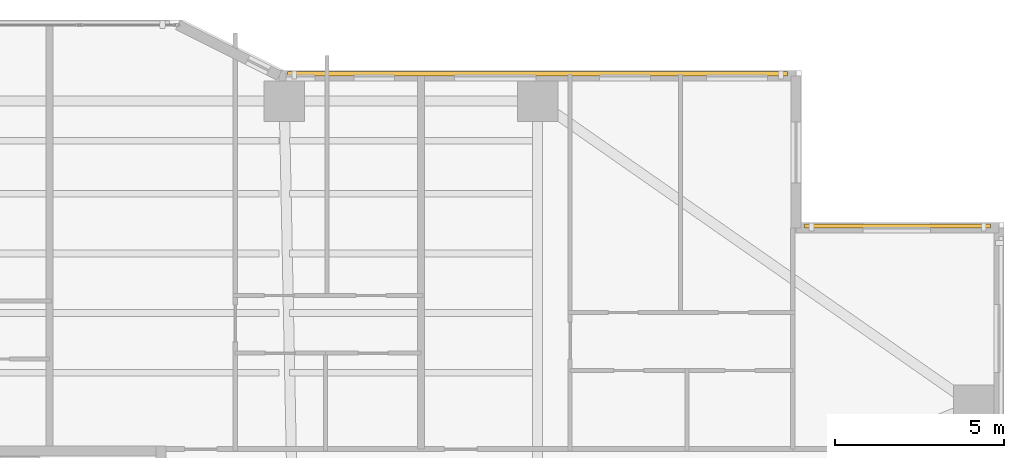
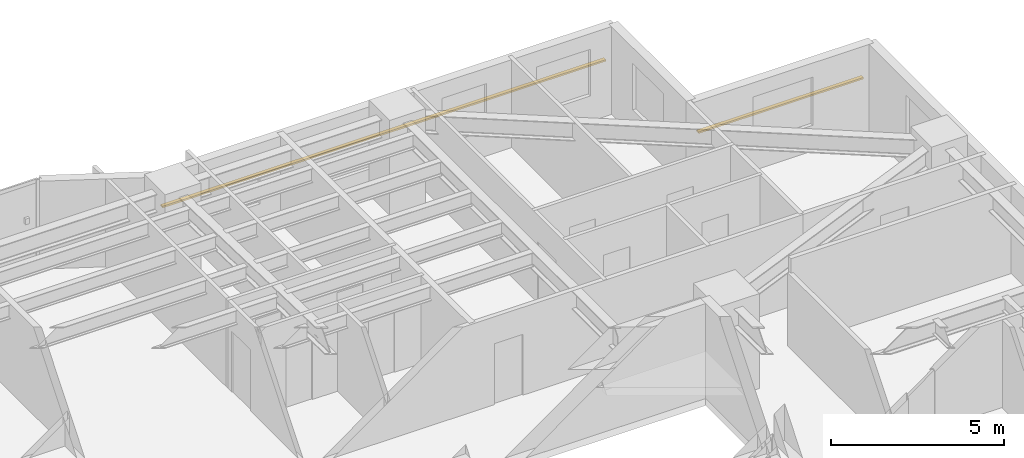
# One storey, part 21 of 21: 2 shading devices.
"""IFC4 building model written with IfcOpenShell, lengths in metres."""

import ifcopenshell
import ifcopenshell.guid

model = None  # the IFC model being written
_history = None  # IfcOwnerHistory: only IFC2X3 demands one
_inside = {}  # id of a spatial element -> (the spatial element, [elements in it])
_under = {}  # id of a project, library or spatial element -> (it, [spatial elements below it])
_declared = {}  # id of a project -> (the project, [libraries it declares])
_typed = {}  # id of a type object -> (the type object, [elements of that type])
_made_of = {}  # id of a material, layer set ... -> (it, [elements and type objects made of it])


def new_model(schema):
    """Start an empty IFC model of exactly this schema.

    Asked for "IFC4X3", IfcOpenShell would pick the latest addendum, in which some entities
    have other attributes; the version numbers below select the first issue.
    IFC2X3 requires an IfcOwnerHistory on every rooted entity: one is made here for all.
    """
    global model, _history
    if schema == "IFC4X3":
        model = ifcopenshell.file(schema_version=(4, 3, 0, 0))
    else:
        model = ifcopenshell.file(schema=schema)
    _inside.clear()
    _under.clear()
    _declared.clear()
    _typed.clear()
    _made_of.clear()
    _history = None
    if model.schema == "IFC2X3":
        org = make("IfcOrganization", Name="unknown")
        user = make(
            "IfcPersonAndOrganization",
            ThePerson=make("IfcPerson", FamilyName="unknown"),
            TheOrganization=org,
        )
        app = make(
            "IfcApplication",
            ApplicationDeveloper=org,
            Version="unknown",
            ApplicationFullName="unknown",
            ApplicationIdentifier="unknown",
        )
        _history = make(
            "IfcOwnerHistory",
            OwningUser=user,
            OwningApplication=app,
            ChangeAction="ADDED",
            CreationDate=0,
        )
    return model


def make(cls, **values):
    """One entity of the class cls with the attributes given. An attribute that is None is left unset."""
    return model.create_entity(
        cls, **{name: value for name, value in values.items() if value is not None}
    )


def rooted(cls, **values):
    """An entity with a GlobalId (a new one), such as an element, a storey or a relation."""
    return make(cls, GlobalId=ifcopenshell.guid.new(), OwnerHistory=_history, **values)


def si_unit(unit_type, name, prefix=None):
    """IfcSIUnit, for example si_unit("LENGTHUNIT", "METRE", prefix="MILLI")."""
    return make("IfcSIUnit", UnitType=unit_type, Prefix=prefix, Name=name)


def assignment(units):
    """IfcUnitAssignment: the units of a project."""
    return None if units is None else make("IfcUnitAssignment", Units=units)


def point(xyz):
    """IfcCartesianPoint."""
    return None if xyz is None else make("IfcCartesianPoint", Coordinates=xyz)


def direction(xyz):
    """IfcDirection."""
    return None if xyz is None else make("IfcDirection", DirectionRatios=xyz)


def frame(location, z_axis=None, x_axis=None):
    """IfcAxis2Placement3D, a coordinate frame: its origin and axes. An axis left out is left unset."""
    return make(
        "IfcAxis2Placement3D",
        Location=point(location),
        Axis=direction(z_axis),
        RefDirection=direction(x_axis),
    )


def frame_2d(location, x_axis=None):
    """IfcAxis2Placement2D, a coordinate frame in the plane: its origin and x axis."""
    return make(
        "IfcAxis2Placement2D", Location=point(location), RefDirection=direction(x_axis)
    )


def origin():
    """The frame at (0, 0, 0) with its axes left unset."""
    return frame((0.0, 0.0, 0.0))


def origin_2d():
    """The frame at (0, 0) in the plane with its x axis left unset."""
    return frame_2d((0.0, 0.0))


def place(relative_to, where):
    """IfcLocalPlacement: puts the frame where relative to a parent placement (None: the world)."""
    return make(
        "IfcLocalPlacement", PlacementRelTo=relative_to, RelativePlacement=where
    )


def context(
    kind, dimensions, precision=None, world=None, true_north=None, identifier=None
):
    """IfcGeometricRepresentationContext, for example the 3D "Model" context."""
    return make(
        "IfcGeometricRepresentationContext",
        ContextIdentifier=identifier,
        ContextType=kind,
        CoordinateSpaceDimension=dimensions,
        Precision=precision,
        WorldCoordinateSystem=world,
        TrueNorth=true_north,
    )


def subcontext(parent, identifier, kind, view, scale=None):
    """IfcGeometricRepresentationSubContext, for example "Body" below "Model"."""
    return make(
        "IfcGeometricRepresentationSubContext",
        ContextIdentifier=identifier,
        ContextType=kind,
        ParentContext=parent,
        TargetScale=scale,
        TargetView=view,
    )


def project(units=None, contexts=None):
    """IfcProject with its units and contexts."""
    return rooted(
        "IfcProject",
        Name="project",
        RepresentationContexts=contexts,
        UnitsInContext=assignment(units),
    )


def spatial(cls, under=None, at=None, **own):
    """A site, building, storey or space (cls), placed at a placement, below another one or the project."""
    s = rooted(cls, ObjectPlacement=at, **own)
    if under is not None:
        _under.setdefault(under.id(), (under, []))[1].append(s)
    return s


def profile(cls, at=None, kind="AREA", **sizes):
    """A parametric profile (cls). Its sizes go by their IFC names, for example OverallWidth=200.0."""
    return make(cls, ProfileType=kind, Position=at, **sizes)


def rectangle(**sizes):
    """IfcRectangleProfileDef."""
    return profile("IfcRectangleProfileDef", **sizes)


def extrude(swept, where, along, depth):
    """IfcExtrudedAreaSolid: the profile swept, set in the frame where, extruded along a direction by depth."""
    return make(
        "IfcExtrudedAreaSolid",
        SweptArea=swept,
        Position=where,
        ExtrudedDirection=direction(along),
        Depth=depth,
    )


def shape(context_of_items, identifier, shape_type, items):
    """IfcShapeRepresentation: the items that make up one representation, for example the "Body"."""
    return make(
        "IfcShapeRepresentation",
        ContextOfItems=context_of_items,
        RepresentationIdentifier=identifier,
        RepresentationType=shape_type,
        Items=items,
    )


def material(Name=None, Category=None):
    """IfcMaterial."""
    return make("IfcMaterial", Name=Name, Category=Category)


def material_profile(
    of_material, cross_section, Name=None, Category=None, Priority=None
):
    """IfcMaterialProfile: a cross section and its material."""
    return make(
        "IfcMaterialProfile",
        Name=Name,
        Material=of_material,
        Profile=cross_section,
        Priority=Priority,
        Category=Category,
    )


def profile_set(profiles, Name=None, composite=None):
    """IfcMaterialProfileSet."""
    return make(
        "IfcMaterialProfileSet",
        Name=Name,
        MaterialProfiles=profiles,
        CompositeProfile=composite,
    )


def made_of(thing, what):
    """Note that an element or type object is made of a material, layer set ...; save() writes the relation."""
    if what is not None:
        _made_of.setdefault(what.id(), (what, []))[1].append(thing)
    return thing


def type_object(cls, material=None, **own):
    """A type object (cls), such as IfcWallType, which elements share."""
    return made_of(rooted(cls, **own), material)


def element(
    cls,
    number,
    at=None,
    inside=None,
    cuts=None,
    type_object=None,
    material=None,
    context=None,
    identifier="Body",
    shape_type=None,
    held_by="IfcProductDefinitionShape",
    body=None,
    shapes=None,
    **own,
):
    """One element of the class cls, such as IfcWall. Its Tag is "e" and its number.

    at: its placement. inside: the storey or other place that contains it. cuts: it is an
    opening in that element (IfcRelVoidsElement). A single representation is given by context,
    identifier, shape_type and body (its items); several are given by shapes. held_by: the class
    of the entity that holds the representations. save() writes the other relations.
    """
    e = rooted(cls, Tag="e%d" % number, ObjectPlacement=at, **own)
    if body is not None:
        shapes = [shape(context, identifier, shape_type, body)]
    if shapes is not None:
        e.Representation = make(held_by, Representations=shapes)
    if inside is not None:
        _inside.setdefault(inside.id(), (inside, []))[1].append(e)
    if cuts is not None:
        rooted(
            "IfcRelVoidsElement", RelatingBuildingElement=cuts, RelatedOpeningElement=e
        )
    if type_object is not None:
        _typed.setdefault(type_object.id(), (type_object, []))[1].append(e)
    return made_of(e, material)


def aggregate(whole, parts):
    """IfcRelAggregates: a whole, such as a stair, and the parts it consists of."""
    return rooted("IfcRelAggregates", RelatingObject=whole, RelatedObjects=parts)


def save(model, path):
    """Write the relations noted so far, then the file.

    IfcRelAggregates (storeys below a building ...), IfcRelContainedInSpatialStructure (elements
    in a storey), IfcRelDefinesByType, IfcRelAssociatesMaterial and IfcRelDeclares: one each for
    every whole, place, type object, material and project.
    """
    for whole, parts in _under.values():
        aggregate(whole, parts)
    for where, things in _inside.values():
        rooted(
            "IfcRelContainedInSpatialStructure",
            RelatedElements=things,
            RelatingStructure=where,
        )
    for kind, things in _typed.values():
        rooted("IfcRelDefinesByType", RelatedObjects=things, RelatingType=kind)
    for what, things in _made_of.values():
        rooted("IfcRelAssociatesMaterial", RelatedObjects=things, RelatingMaterial=what)
    for by, libraries in _declared.values():
        rooted("IfcRelDeclares", RelatingContext=by, RelatedDefinitions=libraries)
    model.write(path)


model = new_model("IFC4")

# Units and contexts
model_context = context("Model", 3, precision=1e-05, world=origin(), true_north=direction((0.0, 1.0)))
body_context = subcontext(model_context, "Body", "Model", "MODEL_VIEW")
ifc_project = project(units=[si_unit("LENGTHUNIT", "METRE"), si_unit("AREAUNIT", "SQUARE_METRE"), si_unit("VOLUMEUNIT", "CUBIC_METRE"), si_unit("PLANEANGLEUNIT", "RADIAN"), si_unit("MASSUNIT", "GRAM", prefix="KILO")], contexts=[model_context])

# Site, building, storey
site_placement = place(None, origin())
site = spatial("IfcSite", under=ifc_project, at=site_placement, CompositionType="ELEMENT")
building_placement = place(site_placement, origin())
building = spatial("IfcBuilding", under=site, at=building_placement, Name="Tarnavaz Court Tower", CompositionType="ELEMENT")
storey_placement = place(building_placement, frame((0.0, 0.0, 24.0)))
storey = spatial("IfcBuildingStorey", under=building, at=storey_placement, Name="L05", CompositionType="ELEMENT", Elevation=24.0)

# Shading devices
ifc_material = material(Name="Kiln-Fired Khorasan Terracotta Ceramic", Category="masonry")
ifc_material_profile = material_profile(ifc_material, rectangle(XDim=0.1201171875, YDim=0.06005859375, at=origin_2d()), Name="TC BAGUETTE 120X60")
ifc_profile_set = profile_set([ifc_material_profile], Name="Kiln-Fired Khorasan Terracotta Ceramic")
shading_device_type = type_object("IfcShadingDeviceType", Name="SD-BAG-120", PredefinedType="USERDEFINED", material=ifc_profile_set)
shading_device_1_placement = place(storey_placement, frame((7.60009765625, 23.610107421875, 1.85009765625), z_axis=(1.0, 0.0, 0.0), x_axis=(0.0, 1.0, 0.0)))
element("IfcShadingDevice", 1, at=shading_device_1_placement, inside=storey, type_object=shading_device_type, Name="L05 Terracotta Baguette Screen FBG09", ObjectType="BAGUETTE", PredefinedType="USERDEFINED", context=body_context, shape_type="SweptSolid", body=[
    extrude(rectangle(XDim=0.1201171875, YDim=0.06005859375, at=origin_2d()), origin(), (0.0, 0.0, 1.0), 14.7998046875),
])
shading_device_2_placement = place(storey_placement, frame((22.89990234375, 19.110107421875, 1.85009765625), z_axis=(1.0, 0.0, 0.0), x_axis=(0.0, 1.0, 0.0)))
element("IfcShadingDevice", 2, at=shading_device_2_placement, inside=storey, type_object=shading_device_type, Name="L05 Terracotta Baguette Screen FBG11", ObjectType="BAGUETTE", PredefinedType="USERDEFINED", context=body_context, shape_type="SweptSolid", body=[
    extrude(rectangle(XDim=0.1201171875, YDim=0.06005859375, at=origin_2d()), origin(), (0.0, 0.0, 1.0), 5.5),
])

save(model, "model.ifc")
